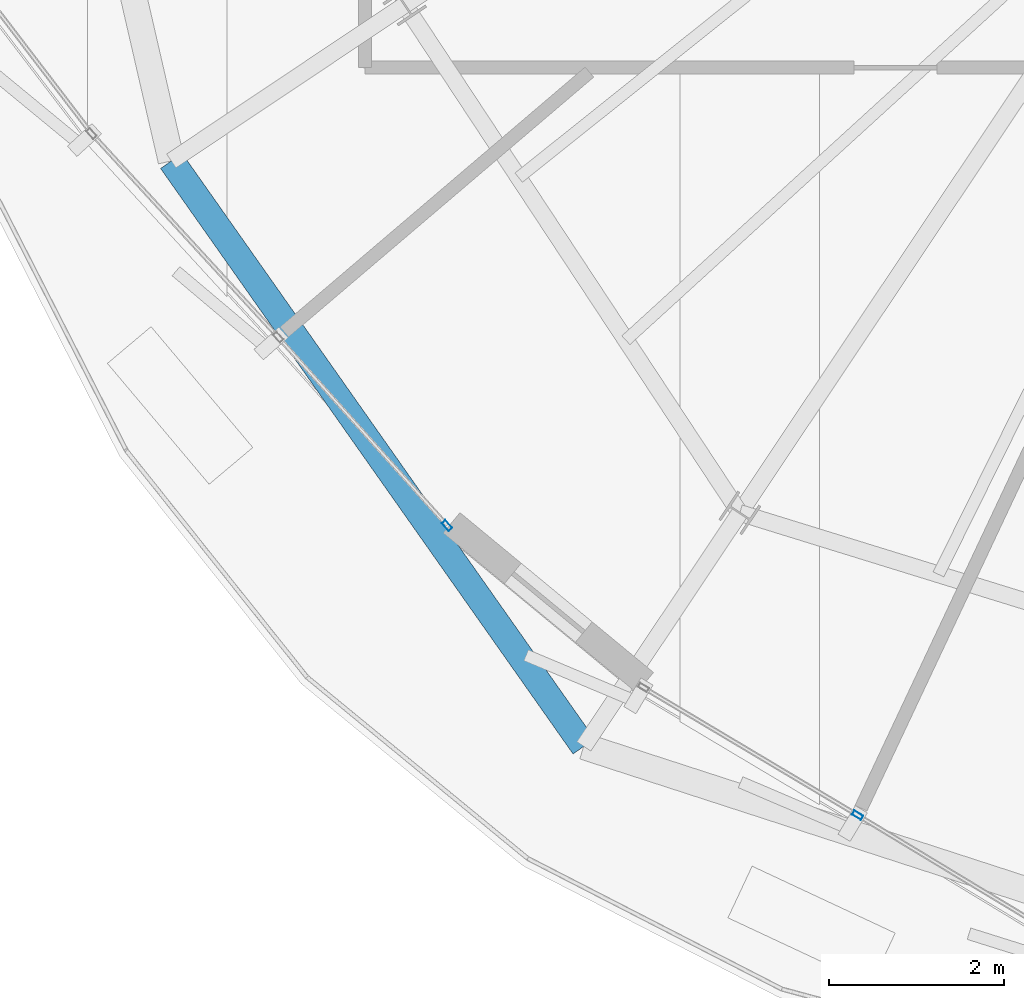
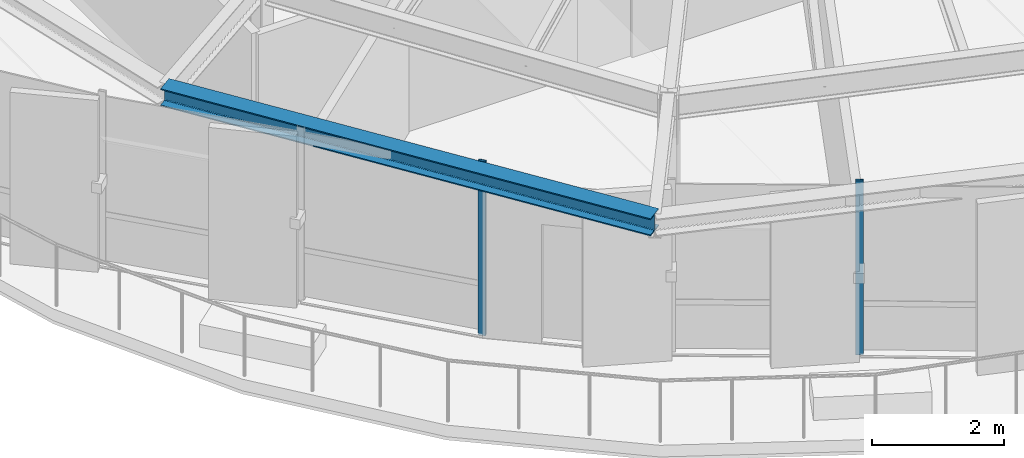
# One storey, part 2 of 34: 2 members, 1 beam, 2 elements without a shape of their own.
"""IFC4 building model written with IfcOpenShell, lengths in metres."""

from ifc_helpers import new_model, si_unit, direction, frame, origin, origin_2d, place, context, subcontext, project, spatial, hollow_rectangle, i_section, extrude, source, transform, mapped, material, layer, layer_set, material_profile, profile_set, type_object, element, aggregate, save


model = new_model("IFC4")

# Units and contexts
model_context = context("Model", 3, precision=1e-05, world=origin(), true_north=direction((0.0, 1.0)))
body_context = subcontext(model_context, "Body", "Model", "MODEL_VIEW")
ifc_project = project(units=[si_unit("LENGTHUNIT", "METRE"), si_unit("AREAUNIT", "SQUARE_METRE"), si_unit("VOLUMEUNIT", "CUBIC_METRE"), si_unit("PLANEANGLEUNIT", "RADIAN"), si_unit("MASSUNIT", "GRAM", prefix="KILO"), si_unit("THERMODYNAMICTEMPERATUREUNIT", "KELVIN")], contexts=[model_context])

# Site, building, storey
site_placement = place(None, origin())
site = spatial("IfcSite", under=ifc_project, at=site_placement, CompositionType="ELEMENT")
building_placement = place(site_placement, origin())
building = spatial("IfcBuilding", under=site, at=building_placement, Name="Kethvar Cultural Tower", CompositionType="ELEMENT")
storey_placement = place(building_placement, frame((0.0, 0.0, 262.89990234375)))
storey = spatial("IfcBuildingStorey", under=building, at=storey_placement, Name="L69", CompositionType="ELEMENT", Elevation=262.89990234375)

# Beam
ifc_material_1 = material(Name="Steel S355J2", Category="steel")
ifc_material_profile_1 = material_profile(ifc_material_1, i_section(OverallWidth=0.300048828125, OverallDepth=0.320068359375, WebThickness=0.011474609375, FlangeThickness=0.0205078125, FilletRadius=0.027099609375, at=origin_2d()), Name="Steel S355J2 — HEB320")
ifc_profile_set_1 = profile_set([ifc_material_profile_1], Name="Steel S355J2 — HEB320")
beam_type = type_object("IfcBeamType", Name="BM-SP320", PredefinedType="SPANDREL", material=ifc_profile_set_1)
shared_shape_1 = source(origin(), body_context, "Body", "SweptSolid", [
    extrude(i_section(OverallWidth=0.300048828125, OverallDepth=0.320068359375, WebThickness=0.011474609375, FlangeThickness=0.0205078125, FilletRadius=0.027099609375, at=origin_2d()), origin(), (0.0, 0.0, 1.0), 8.16259765625),
])
beam_placement = place(storey_placement, frame((30.252197265625, 16.7431640625, 3.048095703125), z_axis=(0.575940812748, -0.817491394579, 0.0), x_axis=(0.817491394579, 0.575940812748, 0.0)))
element("IfcBeam", 1, at=beam_placement, inside=storey, type_object=beam_type, Name="L69 Perimeter Spandrel Beam SP-10", PredefinedType="SPANDREL", context=body_context, shape_type="MappedRepresentation", body=[
    mapped(shared_shape_1, transform((0.0, 0.0, 0.0), scale=1.0)),
])

# Curtain wall, member
ifc_material_2 = material(Name="Aluminium 6063-T6", Category="aluminium")
ifc_layer = layer(ifc_material_2, 0.179931640625, Name="Aluminium 6063-T6", Category="aluminium")
ifc_layer_set = layer_set([ifc_layer], Name="Aluminium 6063-T6 (180 mm)")
curtain_wall_type = type_object("IfcCurtainWallType", Name="CW-SYS-05-Z56", PredefinedType="NOTDEFINED", material=ifc_layer_set)
curtain_wall_1_placement = place(storey_placement, origin())
curtain_wall_1 = element("IfcCurtainWall", 2, at=curtain_wall_1_placement, inside=storey, type_object=curtain_wall_type, Name="L69 Curtain Wall Run 03", PredefinedType="NOTDEFINED")
ifc_material_profile_2 = material_profile(ifc_material_2, hollow_rectangle(XDim=0.054931640625, YDim=0.1201171875, WallThickness=0.00390625, at=origin_2d()), Name="Aluminium 6063-T6 — RHS120x55x4")
ifc_profile_set_2 = profile_set([ifc_material_profile_2], Name="Aluminium 6063-T6 — RHS120x55x4")
member_type = type_object("IfcMemberType", Name="CW-SYS-05-Z56-MUL", PredefinedType="MULLION", material=ifc_profile_set_2)
shared_shape_2 = source(origin(), body_context, "Body", "SweptSolid", [
    extrude(hollow_rectangle(XDim=0.054931640625, YDim=0.1201171875, WallThickness=0.00390625, at=origin_2d()), origin(), (0.0, 0.0, 1.0), 3.210205078125),
])
member_1_placement = place(storey_placement, frame((33.39501953125, 12.588134765625, 0.0), z_axis=(0.0, 0.0, 1.0), x_axis=(0.744847476632, 0.667234768694, 0.0)))
member_1 = element("IfcMember", 3, at=member_1_placement, type_object=member_type, Name="CW-L69-R03 Mullion 6", PredefinedType="MULLION", context=body_context, shape_type="MappedRepresentation", body=[
    mapped(shared_shape_2, transform((0.0, 0.0, 0.0), scale=1.0)),
])
aggregate(curtain_wall_1, [member_1])

curtain_wall_2_placement = place(storey_placement, origin())
curtain_wall_2 = element("IfcCurtainWall", 4, at=curtain_wall_2_placement, inside=storey, type_object=curtain_wall_type, Name="L69 Curtain Wall Run 04", PredefinedType="NOTDEFINED")
member_2_placement = place(storey_placement, frame((38.07470703125, 9.285400390625, 0.0), z_axis=(0.0, 0.0, 1.0), x_axis=(0.517280366086, 0.855815998251, 0.0)))
member_2 = element("IfcMember", 5, at=member_2_placement, type_object=member_type, Name="CW-L69-R04 Mullion 2", PredefinedType="MULLION", context=body_context, shape_type="MappedRepresentation", body=[
    mapped(shared_shape_2, transform((0.0, 0.0, 0.0), scale=1.0)),
])
aggregate(curtain_wall_2, [member_2])

save(model, "model.ifc")
